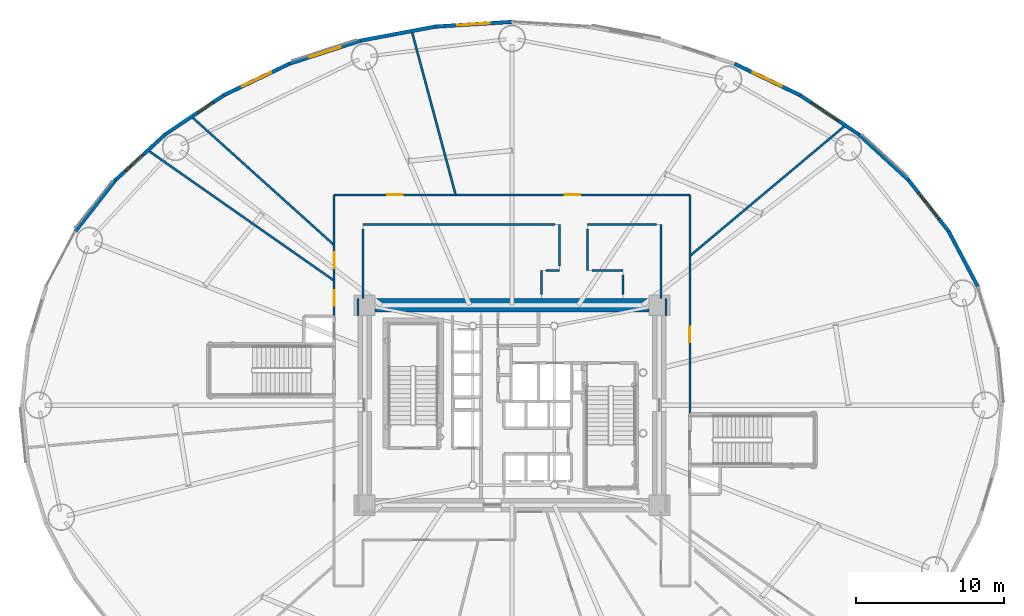
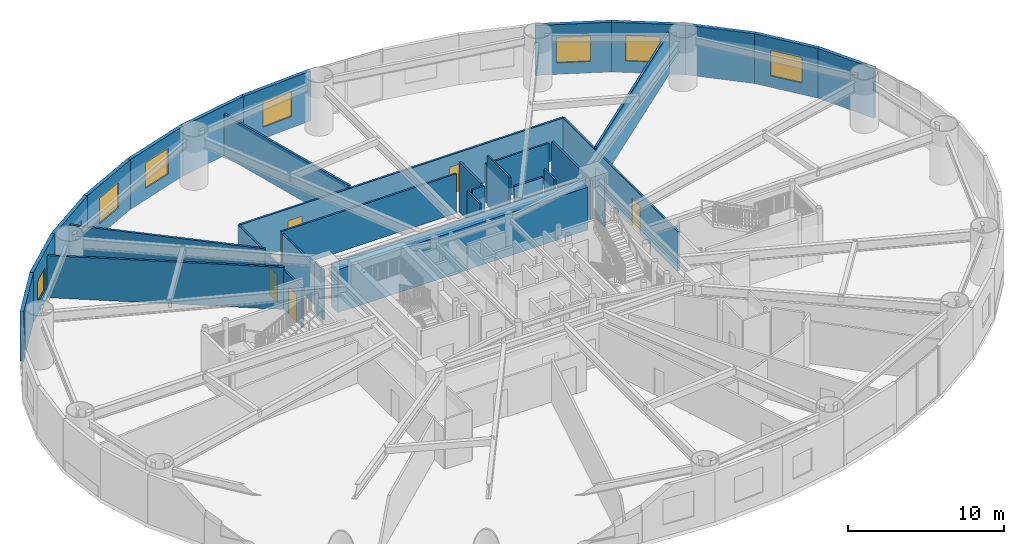
# One storey, part 19 of 31: 32 walls, 8 windows, 5 doors, 13 openings.
"""IFC4 building model written with IfcOpenShell, lengths in metres."""

import ifcopenshell
import ifcopenshell.guid

model = None  # the IFC model being written
_history = None  # IfcOwnerHistory: only IFC2X3 demands one
_inside = {}  # id of a spatial element -> (the spatial element, [elements in it])
_under = {}  # id of a project, library or spatial element -> (it, [spatial elements below it])
_declared = {}  # id of a project -> (the project, [libraries it declares])
_typed = {}  # id of a type object -> (the type object, [elements of that type])
_made_of = {}  # id of a material, layer set ... -> (it, [elements and type objects made of it])


def new_model(schema):
    """Start an empty IFC model of exactly this schema.

    Asked for "IFC4X3", IfcOpenShell would pick the latest addendum, in which some entities
    have other attributes; the version numbers below select the first issue.
    IFC2X3 requires an IfcOwnerHistory on every rooted entity: one is made here for all.
    """
    global model, _history
    if schema == "IFC4X3":
        model = ifcopenshell.file(schema_version=(4, 3, 0, 0))
    else:
        model = ifcopenshell.file(schema=schema)
    _inside.clear()
    _under.clear()
    _declared.clear()
    _typed.clear()
    _made_of.clear()
    _history = None
    if model.schema == "IFC2X3":
        org = make("IfcOrganization", Name="unknown")
        user = make(
            "IfcPersonAndOrganization",
            ThePerson=make("IfcPerson", FamilyName="unknown"),
            TheOrganization=org,
        )
        app = make(
            "IfcApplication",
            ApplicationDeveloper=org,
            Version="unknown",
            ApplicationFullName="unknown",
            ApplicationIdentifier="unknown",
        )
        _history = make(
            "IfcOwnerHistory",
            OwningUser=user,
            OwningApplication=app,
            ChangeAction="ADDED",
            CreationDate=0,
        )
    return model


def make(cls, **values):
    """One entity of the class cls with the attributes given. An attribute that is None is left unset."""
    return model.create_entity(
        cls, **{name: value for name, value in values.items() if value is not None}
    )


def rooted(cls, **values):
    """An entity with a GlobalId (a new one), such as an element, a storey or a relation."""
    return make(cls, GlobalId=ifcopenshell.guid.new(), OwnerHistory=_history, **values)


def si_unit(unit_type, name, prefix=None):
    """IfcSIUnit, for example si_unit("LENGTHUNIT", "METRE", prefix="MILLI")."""
    return make("IfcSIUnit", UnitType=unit_type, Prefix=prefix, Name=name)


def assignment(units):
    """IfcUnitAssignment: the units of a project."""
    return None if units is None else make("IfcUnitAssignment", Units=units)


def point(xyz):
    """IfcCartesianPoint."""
    return None if xyz is None else make("IfcCartesianPoint", Coordinates=xyz)


def direction(xyz):
    """IfcDirection."""
    return None if xyz is None else make("IfcDirection", DirectionRatios=xyz)


def frame(location, z_axis=None, x_axis=None):
    """IfcAxis2Placement3D, a coordinate frame: its origin and axes. An axis left out is left unset."""
    return make(
        "IfcAxis2Placement3D",
        Location=point(location),
        Axis=direction(z_axis),
        RefDirection=direction(x_axis),
    )


def frame_2d(location, x_axis=None):
    """IfcAxis2Placement2D, a coordinate frame in the plane: its origin and x axis."""
    return make(
        "IfcAxis2Placement2D", Location=point(location), RefDirection=direction(x_axis)
    )


def origin():
    """The frame at (0, 0, 0) with its axes left unset."""
    return frame((0.0, 0.0, 0.0))


def origin_2d():
    """The frame at (0, 0) in the plane with its x axis left unset."""
    return frame_2d((0.0, 0.0))


def place(relative_to, where):
    """IfcLocalPlacement: puts the frame where relative to a parent placement (None: the world)."""
    return make(
        "IfcLocalPlacement", PlacementRelTo=relative_to, RelativePlacement=where
    )


def context(
    kind, dimensions, precision=None, world=None, true_north=None, identifier=None
):
    """IfcGeometricRepresentationContext, for example the 3D "Model" context."""
    return make(
        "IfcGeometricRepresentationContext",
        ContextIdentifier=identifier,
        ContextType=kind,
        CoordinateSpaceDimension=dimensions,
        Precision=precision,
        WorldCoordinateSystem=world,
        TrueNorth=true_north,
    )


def subcontext(parent, identifier, kind, view, scale=None):
    """IfcGeometricRepresentationSubContext, for example "Body" below "Model"."""
    return make(
        "IfcGeometricRepresentationSubContext",
        ContextIdentifier=identifier,
        ContextType=kind,
        ParentContext=parent,
        TargetScale=scale,
        TargetView=view,
    )


def project(units=None, contexts=None):
    """IfcProject with its units and contexts."""
    return rooted(
        "IfcProject",
        Name="project",
        RepresentationContexts=contexts,
        UnitsInContext=assignment(units),
    )


def spatial(cls, under=None, at=None, **own):
    """A site, building, storey or space (cls), placed at a placement, below another one or the project."""
    s = rooted(cls, ObjectPlacement=at, **own)
    if under is not None:
        _under.setdefault(under.id(), (under, []))[1].append(s)
    return s


def profile(cls, at=None, kind="AREA", **sizes):
    """A parametric profile (cls). Its sizes go by their IFC names, for example OverallWidth=200.0."""
    return make(cls, ProfileType=kind, Position=at, **sizes)


def rectangle(**sizes):
    """IfcRectangleProfileDef."""
    return profile("IfcRectangleProfileDef", **sizes)


def extrude(swept, where, along, depth):
    """IfcExtrudedAreaSolid: the profile swept, set in the frame where, extruded along a direction by depth."""
    return make(
        "IfcExtrudedAreaSolid",
        SweptArea=swept,
        Position=where,
        ExtrudedDirection=direction(along),
        Depth=depth,
    )


def shape(context_of_items, identifier, shape_type, items):
    """IfcShapeRepresentation: the items that make up one representation, for example the "Body"."""
    return make(
        "IfcShapeRepresentation",
        ContextOfItems=context_of_items,
        RepresentationIdentifier=identifier,
        RepresentationType=shape_type,
        Items=items,
    )


def source(mapping_origin, context_of_items, identifier, shape_type, items):
    """IfcRepresentationMap: a shape defined once, which mapped items show again and again."""
    return make(
        "IfcRepresentationMap",
        MappingOrigin=mapping_origin,
        MappedRepresentation=shape(context_of_items, identifier, shape_type, items),
    )


def transform(
    local_origin,
    x_axis=None,
    y_axis=None,
    z_axis=None,
    scale=None,
    scale2=None,
    scale3=None,
    uniform=True,
):
    """IfcCartesianTransformationOperator3D, or its non-uniform kind. x_axis, y_axis, z_axis: its Axis1, 2, 3."""
    if uniform:
        return make(
            "IfcCartesianTransformationOperator3D",
            Axis1=direction(x_axis),
            Axis2=direction(y_axis),
            LocalOrigin=point(local_origin),
            Scale=scale,
            Axis3=direction(z_axis),
        )
    return make(
        "IfcCartesianTransformationOperator3DnonUniform",
        Axis1=direction(x_axis),
        Axis2=direction(y_axis),
        LocalOrigin=point(local_origin),
        Scale=scale,
        Axis3=direction(z_axis),
        Scale2=scale2,
        Scale3=scale3,
    )


def mapped(mapping_source, mapping_target):
    """IfcMappedItem: shows the shape of a source again, moved by a transform."""
    return make(
        "IfcMappedItem", MappingSource=mapping_source, MappingTarget=mapping_target
    )


def material(Name=None, Category=None):
    """IfcMaterial."""
    return make("IfcMaterial", Name=Name, Category=Category)


def layer(
    of_material, thickness, ventilated=None, Name=None, Category=None, Priority=None
):
    """IfcMaterialLayer: one layer of a wall or slab, of a material (None: an air gap)."""
    return make(
        "IfcMaterialLayer",
        Material=of_material,
        LayerThickness=thickness,
        IsVentilated=ventilated,
        Name=Name,
        Category=Category,
        Priority=Priority,
    )


def layer_set(layers, Name=None):
    """IfcMaterialLayerSet."""
    return make("IfcMaterialLayerSet", MaterialLayers=layers, LayerSetName=Name)


def made_of(thing, what):
    """Note that an element or type object is made of a material, layer set ...; save() writes the relation."""
    if what is not None:
        _made_of.setdefault(what.id(), (what, []))[1].append(thing)
    return thing


def type_object(cls, material=None, **own):
    """A type object (cls), such as IfcWallType, which elements share."""
    return made_of(rooted(cls, **own), material)


def element(
    cls,
    number,
    at=None,
    inside=None,
    cuts=None,
    type_object=None,
    material=None,
    context=None,
    identifier="Body",
    shape_type=None,
    held_by="IfcProductDefinitionShape",
    body=None,
    shapes=None,
    **own,
):
    """One element of the class cls, such as IfcWall. Its Tag is "e" and its number.

    at: its placement. inside: the storey or other place that contains it. cuts: it is an
    opening in that element (IfcRelVoidsElement). A single representation is given by context,
    identifier, shape_type and body (its items); several are given by shapes. held_by: the class
    of the entity that holds the representations. save() writes the other relations.
    """
    e = rooted(cls, Tag="e%d" % number, ObjectPlacement=at, **own)
    if body is not None:
        shapes = [shape(context, identifier, shape_type, body)]
    if shapes is not None:
        e.Representation = make(held_by, Representations=shapes)
    if inside is not None:
        _inside.setdefault(inside.id(), (inside, []))[1].append(e)
    if cuts is not None:
        rooted(
            "IfcRelVoidsElement", RelatingBuildingElement=cuts, RelatedOpeningElement=e
        )
    if type_object is not None:
        _typed.setdefault(type_object.id(), (type_object, []))[1].append(e)
    return made_of(e, material)


def fill(opening, filler):
    """IfcRelFillsElement: the door or window that sits in an opening."""
    return rooted(
        "IfcRelFillsElement",
        RelatingOpeningElement=opening,
        RelatedBuildingElement=filler,
    )


def aggregate(whole, parts):
    """IfcRelAggregates: a whole, such as a stair, and the parts it consists of."""
    return rooted("IfcRelAggregates", RelatingObject=whole, RelatedObjects=parts)


def save(model, path):
    """Write the relations noted so far, then the file.

    IfcRelAggregates (storeys below a building ...), IfcRelContainedInSpatialStructure (elements
    in a storey), IfcRelDefinesByType, IfcRelAssociatesMaterial and IfcRelDeclares: one each for
    every whole, place, type object, material and project.
    """
    for whole, parts in _under.values():
        aggregate(whole, parts)
    for where, things in _inside.values():
        rooted(
            "IfcRelContainedInSpatialStructure",
            RelatedElements=things,
            RelatingStructure=where,
        )
    for kind, things in _typed.values():
        rooted("IfcRelDefinesByType", RelatedObjects=things, RelatingType=kind)
    for what, things in _made_of.values():
        rooted("IfcRelAssociatesMaterial", RelatedObjects=things, RelatingMaterial=what)
    for by, libraries in _declared.values():
        rooted("IfcRelDeclares", RelatingContext=by, RelatedDefinitions=libraries)
    model.write(path)


model = new_model("IFC4")

# Units and contexts
model_context = context("Model", 3, precision=1e-05, world=origin(), true_north=direction((0.0, 1.0)))
body_context = subcontext(model_context, "Body", "Model", "MODEL_VIEW")
ifc_project = project(units=[si_unit("LENGTHUNIT", "METRE"), si_unit("AREAUNIT", "SQUARE_METRE"), si_unit("VOLUMEUNIT", "CUBIC_METRE"), si_unit("PLANEANGLEUNIT", "RADIAN"), si_unit("MASSUNIT", "GRAM", prefix="KILO")], contexts=[model_context])

# Site, building, storey
site_placement = place(None, origin())
site = spatial("IfcSite", under=ifc_project, at=site_placement, CompositionType="ELEMENT")
building_placement = place(site_placement, origin())
building = spatial("IfcBuilding", under=site, at=building_placement, Name="Linh Dai School and Residence Tower", CompositionType="ELEMENT")
storey_placement = place(building_placement, frame((0.0, 0.0, 6.0)))
storey = spatial("IfcBuildingStorey", under=building, at=storey_placement, Name="L01", CompositionType="ELEMENT", Elevation=6.0)

# Wall
ifc_material_1 = material(Name="Precast Concrete B45 (C35/45)", Category="concrete")
ifc_layer_1 = layer(ifc_material_1, 0.25)
ifc_layer_set_1 = layer_set([ifc_layer_1], Name="Precast Concrete B45 (C35/45)")
wall_type_1 = type_object("IfcWallType", Name="EW-TC-250", PredefinedType="SOLIDWALL", material=ifc_layer_set_1)
wall_1_placement = place(storey_placement, frame((65.4765625, 38.735595703125, 0.0), z_axis=(0.0, 0.0, 1.0), x_axis=(0.467588829866, -0.883946087827, 0.0)))
element("IfcWall", 1, at=wall_1_placement, inside=storey, type_object=wall_type_1, Name="L01 Terracotta Exterior Wall 03", PredefinedType="SOLIDWALL", context=body_context, shape_type="SweptSolid", body=[
    extrude(rectangle(XDim=4.2412109375, YDim=0.25, at=frame_2d((2.12060546875, 0.0))), origin(), (0.0, 0.0, 1.0), 3.89990234375),
])

# Wall, opening, window
wall_2_placement = place(storey_placement, frame((62.767822265625, 42.197509765625, 0.0), z_axis=(0.0, 0.0, 1.0), x_axis=(0.61622589112, -0.787569457961, 0.0)))
wall_2 = element("IfcWall", 2, at=wall_2_placement, inside=storey, type_object=wall_type_1, Name="L01 Terracotta Exterior Wall 04", PredefinedType="SOLIDWALL", context=body_context, shape_type="SweptSolid", body=[
    extrude(rectangle(XDim=4.395751953125, YDim=0.25, at=frame_2d((2.19775390625, 0.0))), origin(), (0.0, 0.0, 1.0), 3.89990234375),
])
opening_1_placement = place(wall_2_placement, frame((1.09765625, 0.0, 0.89990234375)))
opening_1 = element("IfcOpeningElement", 3, at=opening_1_placement, cuts=wall_2, Name="Opening W4", PredefinedType="OPENING", context=body_context, shape_type="SweptSolid", body=[
    extrude(rectangle(XDim=2.199951171875, YDim=2.0, at=origin_2d()), frame((1.10009765625, 0.135009765625, 1.0), z_axis=(0.0, -1.0, 0.0), x_axis=(1.0, 0.0, 0.0)), (0.0, 0.0, 1.0), 0.27001953125),
])
ifc_material_2 = material(Name="Acoustic Laminated Low-E Glazing", Category="glass")
window_type_1 = type_object("IfcWindowType", Name="WN-SCH-2200x2000", PartitioningType="TRIPLE_PANEL_VERTICAL", PredefinedType="WINDOW", material=ifc_material_2)
shared_shape_1 = source(origin(), body_context, "Body", "SweptSolid", [
    extrude(rectangle(XDim=2.199951171875, YDim=2.0, at=origin_2d()), frame((1.10009765625, 0.030029296875, 1.0), z_axis=(0.0, -1.0, 0.0), x_axis=(1.0, 0.0, 0.0)), (0.0, 0.0, 1.0), 0.06005859375),
])
window_1_placement = place(opening_1_placement, origin())
window_1 = element("IfcWindow", 4, at=window_1_placement, inside=storey, type_object=window_type_1, Name="L01 Exterior Window 04.1", OverallHeight=2.0, OverallWidth=2.199951171875, PartitioningType="TRIPLE_PANEL_VERTICAL", PredefinedType="WINDOW", context=body_context, shape_type="MappedRepresentation", body=[
    mapped(shared_shape_1, transform((0.0, 0.0, 0.0), x_axis=(1.0, 0.0, 0.0), y_axis=(0.0, 1.0, 0.0), z_axis=(0.0, 0.0, 1.0), scale=1.0)),
])
fill(opening_1, window_1)

# Wall
wall_3_placement = place(storey_placement, frame((59.39892578125, 45.286376953125, 0.0), z_axis=(0.0, 0.0, 1.0), x_axis=(0.737076532105, -0.675809282136, 0.0)))
element("IfcWall", 5, at=wall_3_placement, inside=storey, type_object=wall_type_1, Name="L01 Terracotta Exterior Wall 05", PredefinedType="SOLIDWALL", context=body_context, shape_type="SweptSolid", body=[
    extrude(rectangle(XDim=4.570556640625, YDim=0.25, at=frame_2d((2.28515625, 0.0))), origin(), (0.0, 0.0, 1.0), 3.89990234375),
])

# Wall, opening, window
wall_4_placement = place(storey_placement, frame((55.45263671875, 47.92578125, 0.0), z_axis=(0.0, 0.0, 1.0), x_axis=(0.831218664812, -0.555945618985, 0.0)))
wall_4 = element("IfcWall", 6, at=wall_4_placement, inside=storey, type_object=wall_type_1, Name="L01 Terracotta Exterior Wall 06", PredefinedType="SOLIDWALL", context=body_context, shape_type="SweptSolid", body=[
    extrude(rectangle(XDim=4.74755859375, YDim=0.25, at=frame_2d((2.373779296875, 0.0))), origin(), (0.0, 0.0, 1.0), 3.89990234375),
])
opening_2_placement = place(wall_4_placement, frame((0.91259765625, 0.0, 0.89990234375)))
opening_2 = element("IfcOpeningElement", 7, at=opening_2_placement, cuts=wall_4, Name="Opening W4", PredefinedType="OPENING", context=body_context, shape_type="SweptSolid", body=[
    extrude(rectangle(XDim=2.199951171875, YDim=2.0, at=origin_2d()), frame((1.10009765625, 0.135009765625, 1.0), z_axis=(0.0, -1.0, 0.0), x_axis=(1.0, 0.0, 0.0)), (0.0, 0.0, 1.0), 0.27001953125),
])
window_2_placement = place(opening_2_placement, origin())
window_2 = element("IfcWindow", 8, at=window_2_placement, inside=storey, type_object=window_type_1, Name="L01 Exterior Window 06.1", OverallHeight=2.0, OverallWidth=2.199951171875, PartitioningType="TRIPLE_PANEL_VERTICAL", PredefinedType="WINDOW", context=body_context, shape_type="MappedRepresentation", body=[
    mapped(shared_shape_1, transform((0.0, 0.0, 0.0), x_axis=(1.0, 0.0, 0.0), y_axis=(0.0, 1.0, 0.0), z_axis=(0.0, 0.0, 1.0), scale=1.0)),
])
fill(opening_2, window_2)

wall_5_placement = place(storey_placement, frame((51.026123046875, 50.050048828125, 0.0), z_axis=(0.0, 0.0, 1.0), x_axis=(0.901559523397, -0.432655088692, 0.0)))
wall_5 = element("IfcWall", 9, at=wall_5_placement, inside=storey, type_object=wall_type_1, Name="L01 Terracotta Exterior Wall 07", PredefinedType="SOLIDWALL", context=body_context, shape_type="SweptSolid", body=[
    extrude(rectangle(XDim=4.909912109375, YDim=0.25, at=frame_2d((2.455078125, 0.0))), origin(), (0.0, 0.0, 1.0), 3.89990234375),
])
opening_3_placement = place(wall_5_placement, frame((1.354736328125, 0.0, 0.89990234375)))
opening_3 = element("IfcOpeningElement", 10, at=opening_3_placement, cuts=wall_5, Name="Opening W4", PredefinedType="OPENING", context=body_context, shape_type="SweptSolid", body=[
    extrude(rectangle(XDim=2.199951171875, YDim=2.0, at=origin_2d()), frame((1.10009765625, 0.135009765625, 1.0), z_axis=(0.0, -1.0, 0.0), x_axis=(1.0, 0.0, 0.0)), (0.0, 0.0, 1.0), 0.27001953125),
])
window_3_placement = place(opening_3_placement, origin())
window_3 = element("IfcWindow", 11, at=window_3_placement, inside=storey, type_object=window_type_1, Name="L01 Exterior Window 07.1", OverallHeight=2.0, OverallWidth=2.199951171875, PartitioningType="TRIPLE_PANEL_VERTICAL", PredefinedType="WINDOW", context=body_context, shape_type="MappedRepresentation", body=[
    mapped(shared_shape_1, transform((0.0, 0.0, 0.0), x_axis=(1.0, 0.0, 0.0), y_axis=(0.0, 1.0, 0.0), z_axis=(0.0, 0.0, 1.0), scale=1.0)),
])
fill(opening_3, window_3)

wall_6_placement = place(storey_placement, frame((30.82177734375, 52.555908203125, 0.0), z_axis=(0.0, 0.0, 1.0), x_axis=(0.998106762298, 0.061505211614, 0.0)))
wall_6 = element("IfcWall", 12, at=wall_6_placement, inside=storey, type_object=wall_type_1, Name="L01 Terracotta Exterior Wall 11", PredefinedType="SOLIDWALL", context=body_context, shape_type="SweptSolid", body=[
    extrude(rectangle(XDim=5.18798828125, YDim=0.25, at=frame_2d((2.593994140625, 0.0))), origin(), (0.0, 0.0, 1.0), 3.89990234375),
])
opening_4_placement = place(wall_6_placement, frame((1.493896484375, 0.0, 0.89990234375)))
opening_4 = element("IfcOpeningElement", 13, at=opening_4_placement, cuts=wall_6, Name="Opening W4", PredefinedType="OPENING", context=body_context, shape_type="SweptSolid", body=[
    extrude(rectangle(XDim=2.199951171875, YDim=2.0, at=origin_2d()), frame((1.10009765625, 0.135009765625, 1.0), z_axis=(0.0, -1.0, 0.0), x_axis=(1.0, 0.0, 0.0)), (0.0, 0.0, 1.0), 0.27001953125),
])
window_4_placement = place(opening_4_placement, origin())
window_4 = element("IfcWindow", 14, at=window_4_placement, inside=storey, type_object=window_type_1, Name="L01 Exterior Window 11.1", OverallHeight=2.0, OverallWidth=2.199951171875, PartitioningType="TRIPLE_PANEL_VERTICAL", PredefinedType="WINDOW", context=body_context, shape_type="MappedRepresentation", body=[
    mapped(shared_shape_1, transform((0.0, 0.0, 0.0), x_axis=(1.0, 0.0, 0.0), y_axis=(0.0, 1.0, 0.0), z_axis=(0.0, 0.0, 1.0), scale=1.0)),
])
fill(opening_4, window_4)

# Wall
wall_7_placement = place(storey_placement, frame((25.771484375, 51.6064453125, 0.0), z_axis=(0.0, 0.0, 1.0), x_axis=(0.98278278947, 0.184764684726, 0.0)))
element("IfcWall", 15, at=wall_7_placement, inside=storey, type_object=wall_type_1, Name="L01 Terracotta Exterior Wall 12", PredefinedType="SOLIDWALL", context=body_context, shape_type="SweptSolid", body=[
    extrude(rectangle(XDim=5.138671875, YDim=0.25, at=frame_2d((2.5693359375, 0.0))), origin(), (0.0, 0.0, 1.0), 3.89990234375),
])

# Wall, opening, window
wall_8_placement = place(storey_placement, frame((20.973876953125, 50.050048828125, 0.0), z_axis=(0.0, 0.0, 1.0), x_axis=(0.951198629726, 0.308579271513, 0.0)))
wall_8 = element("IfcWall", 16, at=wall_8_placement, inside=storey, type_object=wall_type_1, Name="L01 Terracotta Exterior Wall 13", PredefinedType="SOLIDWALL", context=body_context, shape_type="SweptSolid", body=[
    extrude(rectangle(XDim=5.043701171875, YDim=0.25, at=frame_2d((2.52197265625, 0.0))), origin(), (0.0, 0.0, 1.0), 3.89990234375),
])
opening_5_placement = place(wall_8_placement, frame((1.422119140625, 0.0, 0.89990234375)))
opening_5 = element("IfcOpeningElement", 17, at=opening_5_placement, cuts=wall_8, Name="Opening W4", PredefinedType="OPENING", context=body_context, shape_type="SweptSolid", body=[
    extrude(rectangle(XDim=2.199951171875, YDim=2.0, at=origin_2d()), frame((1.10009765625, 0.135009765625, 1.0), z_axis=(0.0, -1.0, 0.0), x_axis=(1.0, 0.0, 0.0)), (0.0, 0.0, 1.0), 0.27001953125),
])
window_5_placement = place(opening_5_placement, origin())
window_5 = element("IfcWindow", 18, at=window_5_placement, inside=storey, type_object=window_type_1, Name="L01 Exterior Window 13.1", OverallHeight=2.0, OverallWidth=2.199951171875, PartitioningType="TRIPLE_PANEL_VERTICAL", PredefinedType="WINDOW", context=body_context, shape_type="MappedRepresentation", body=[
    mapped(shared_shape_1, transform((0.0, 0.0, 0.0), x_axis=(1.0, 0.0, 0.0), y_axis=(0.0, 1.0, 0.0), z_axis=(0.0, 0.0, 1.0), scale=1.0)),
])
fill(opening_5, window_5)

wall_9_placement = place(storey_placement, frame((16.54736328125, 47.92578125, 0.0), z_axis=(0.0, 0.0, 1.0), x_axis=(0.901559523397, 0.432655088692, 0.0)))
wall_9 = element("IfcWall", 19, at=wall_9_placement, inside=storey, type_object=wall_type_1, Name="L01 Terracotta Exterior Wall 14", PredefinedType="SOLIDWALL", context=body_context, shape_type="SweptSolid", body=[
    extrude(rectangle(XDim=4.909912109375, YDim=0.25, at=frame_2d((2.455078125, 0.0))), origin(), (0.0, 0.0, 1.0), 3.89990234375),
])
opening_6_placement = place(wall_9_placement, frame((1.35498046875, 0.0, 0.89990234375)))
opening_6 = element("IfcOpeningElement", 20, at=opening_6_placement, cuts=wall_9, Name="Opening W4", PredefinedType="OPENING", context=body_context, shape_type="SweptSolid", body=[
    extrude(rectangle(XDim=2.199951171875, YDim=2.0, at=origin_2d()), frame((1.10009765625, 0.135009765625, 1.0), z_axis=(0.0, -1.0, 0.0), x_axis=(1.0, 0.0, 0.0)), (0.0, 0.0, 1.0), 0.27001953125),
])
window_6_placement = place(opening_6_placement, origin())
window_6 = element("IfcWindow", 21, at=window_6_placement, inside=storey, type_object=window_type_1, Name="L01 Exterior Window 14.1", OverallHeight=2.0, OverallWidth=2.199951171875, PartitioningType="TRIPLE_PANEL_VERTICAL", PredefinedType="WINDOW", context=body_context, shape_type="MappedRepresentation", body=[
    mapped(shared_shape_1, transform((0.0, 0.0, 0.0), x_axis=(1.0, 0.0, 0.0), y_axis=(0.0, 1.0, 0.0), z_axis=(0.0, 0.0, 1.0), scale=1.0)),
])
fill(opening_6, window_6)

wall_10_placement = place(storey_placement, frame((12.60107421875, 45.286376953125, 0.0), z_axis=(0.0, 0.0, 1.0), x_axis=(0.831218664812, 0.555945618985, 0.0)))
wall_10 = element("IfcWall", 22, at=wall_10_placement, inside=storey, type_object=wall_type_1, Name="L01 Terracotta Exterior Wall 15", PredefinedType="SOLIDWALL", context=body_context, shape_type="SweptSolid", body=[
    extrude(rectangle(XDim=4.74755859375, YDim=0.25, at=frame_2d((2.373779296875, 0.0))), origin(), (0.0, 0.0, 1.0), 3.89990234375),
])
opening_7_placement = place(wall_10_placement, frame((2.63671875, 0.0, 0.89990234375)))
opening_7 = element("IfcOpeningElement", 23, at=opening_7_placement, cuts=wall_10, Name="Opening W3", PredefinedType="OPENING", context=body_context, shape_type="SweptSolid", body=[
    extrude(rectangle(XDim=1.25, YDim=1.64990234375, at=origin_2d()), frame((0.625, 0.135009765625, 0.824951171875), z_axis=(0.0, -1.0, 0.0), x_axis=(1.0, 0.0, 0.0)), (0.0, 0.0, 1.0), 0.27001953125),
])
ifc_material_3 = material(Name="Double Low-E Insulated Glazing", Category="glass")
window_type_2 = type_object("IfcWindowType", Name="WN-RES-1250x1650", PartitioningType="SINGLE_PANEL", PredefinedType="WINDOW", material=ifc_material_3)
shared_shape_2 = source(origin(), body_context, "Body", "SweptSolid", [
    extrude(rectangle(XDim=1.25, YDim=1.64990234375, at=origin_2d()), frame((0.625, 0.030029296875, 0.824951171875), z_axis=(0.0, -1.0, 0.0), x_axis=(1.0, 0.0, 0.0)), (0.0, 0.0, 1.0), 0.06005859375),
])
window_7_placement = place(opening_7_placement, origin())
window_7 = element("IfcWindow", 24, at=window_7_placement, inside=storey, type_object=window_type_2, Name="L01 Exterior Window 15.1", OverallHeight=1.64990234375, OverallWidth=1.25, PartitioningType="SINGLE_PANEL", PredefinedType="WINDOW", context=body_context, shape_type="MappedRepresentation", body=[
    mapped(shared_shape_2, transform((0.0, 0.0, 0.0), x_axis=(1.0, 0.0, 0.0), y_axis=(0.0, 1.0, 0.0), z_axis=(0.0, 0.0, 1.0), scale=1.0)),
])
fill(opening_7, window_7)

wall_11_placement = place(storey_placement, frame((9.232177734375, 42.197509765625, 0.0), z_axis=(0.0, 0.0, 1.0), x_axis=(0.737076532105, 0.675809282136, 0.0)))
wall_11 = element("IfcWall", 25, at=wall_11_placement, inside=storey, type_object=wall_type_1, Name="L01 Terracotta Exterior Wall 16", PredefinedType="SOLIDWALL", context=body_context, shape_type="SweptSolid", body=[
    extrude(rectangle(XDim=4.570556640625, YDim=0.25, at=frame_2d((2.28515625, 0.0))), origin(), (0.0, 0.0, 1.0), 3.89990234375),
])
opening_8_placement = place(wall_11_placement, frame((0.89599609375, 0.0, 0.89990234375)))
opening_8 = element("IfcOpeningElement", 26, at=opening_8_placement, cuts=wall_11, Name="Opening W2", PredefinedType="OPENING", context=body_context, shape_type="SweptSolid", body=[
    extrude(rectangle(XDim=1.60009765625, YDim=1.75, at=origin_2d()), frame((0.800048828125, 0.135009765625, 0.875), z_axis=(0.0, -1.0, 0.0), x_axis=(1.0, 0.0, 0.0)), (0.0, 0.0, 1.0), 0.27001953125),
])
window_type_3 = type_object("IfcWindowType", Name="WN-RES-1600x1750", PartitioningType="DOUBLE_PANEL_VERTICAL", PredefinedType="WINDOW", material=ifc_material_3)
shared_shape_3 = source(origin(), body_context, "Body", "SweptSolid", [
    extrude(rectangle(XDim=1.60009765625, YDim=1.75, at=origin_2d()), frame((0.800048828125, 0.030029296875, 0.875), z_axis=(0.0, -1.0, 0.0), x_axis=(1.0, 0.0, 0.0)), (0.0, 0.0, 1.0), 0.06005859375),
])
window_8_placement = place(opening_8_placement, origin())
window_8 = element("IfcWindow", 27, at=window_8_placement, inside=storey, type_object=window_type_3, Name="L01 Exterior Window 16.1", OverallHeight=1.75, OverallWidth=1.60009765625, PartitioningType="DOUBLE_PANEL_VERTICAL", PredefinedType="WINDOW", context=body_context, shape_type="MappedRepresentation", body=[
    mapped(shared_shape_3, transform((0.0, 0.0, 0.0), x_axis=(1.0, 0.0, 0.0), y_axis=(0.0, 1.0, 0.0), z_axis=(0.0, 0.0, 1.0), scale=1.0)),
])
fill(opening_8, window_8)

# Wall
wall_12_placement = place(storey_placement, frame((6.5234375, 38.735595703125, 0.0), z_axis=(0.0, 0.0, 1.0), x_axis=(0.61622589112, 0.787569457961, 0.0)))
element("IfcWall", 28, at=wall_12_placement, inside=storey, type_object=wall_type_1, Name="L01 Terracotta Exterior Wall 17", PredefinedType="SOLIDWALL", context=body_context, shape_type="SweptSolid", body=[
    extrude(rectangle(XDim=4.395751953125, YDim=0.25, at=frame_2d((2.19775390625, 0.0))), origin(), (0.0, 0.0, 1.0), 3.89990234375),
])

# Wall, openings, doors
ifc_material_4 = material(Name="Autoclaved Aerated Concrete Blockwork", Category="masonry")
ifc_layer_2 = layer(ifc_material_4, 0.135009765625)
ifc_layer_set_2 = layer_set([ifc_layer_2], Name="Autoclaved Aerated Concrete Blockwork")
wall_type_2 = type_object("IfcWallType", Name="IW-CORR-135-EI90", PredefinedType="PARTITIONING", material=ifc_layer_set_2)
wall_13_placement = place(storey_placement, frame((24.0, 33.010009765625, 0.0), z_axis=(0.0, 0.0, 1.0), x_axis=(0.0, 1.0, 0.0)))
wall_13 = element("IfcWall", 29, at=wall_13_placement, inside=storey, type_object=wall_type_2, Name="L01 Interior Partition Wall 013", PredefinedType="PARTITIONING", context=body_context, shape_type="SweptSolid", body=[
    extrude(rectangle(XDim=8.18994140625, YDim=0.135009765625, at=frame_2d((4.094970703125, 0.0))), origin(), (0.0, 0.0, 1.0), 3.0849609375),
])
opening_9_placement = place(wall_13_placement, frame((3.24755859375, 0.0, 0.0)))
opening_9 = element("IfcOpeningElement", 30, at=opening_9_placement, cuts=wall_13, Name="Opening D04", PredefinedType="OPENING", context=body_context, shape_type="SweptSolid", body=[
    extrude(rectangle(XDim=1.050048828125, YDim=2.14990234375, at=origin_2d()), frame((0.52490234375, 0.07763671875, 1.074951171875), z_axis=(0.0, -1.0, 0.0), x_axis=(1.0, 0.0, 0.0)), (0.0, 0.0, 1.0), 0.155029296875),
])
opening_10_placement = place(wall_13_placement, frame((0.691162109375, 0.0, 0.0)))
opening_10 = element("IfcOpeningElement", 31, at=opening_10_placement, cuts=wall_13, Name="Opening D04", PredefinedType="OPENING", context=body_context, shape_type="SweptSolid", body=[
    extrude(rectangle(XDim=1.050048828125, YDim=2.14990234375, at=origin_2d()), frame((0.52490234375, 0.07763671875, 1.074951171875), z_axis=(0.0, -1.0, 0.0), x_axis=(1.0, 0.0, 0.0)), (0.0, 0.0, 1.0), 0.155029296875),
])
ifc_material_5 = material(Name="Acoustic Vision-Panel Timber Classroom Door", Category="wood")
door_type = type_object("IfcDoorType", Name="DR-SCH-1050x2150-FD60S", OperationType="NOTDEFINED", PredefinedType="DOOR", material=ifc_material_5)
shared_shape_4 = source(origin(), body_context, "Body", "SweptSolid", [
    extrude(rectangle(XDim=1.050048828125, YDim=2.14990234375, at=origin_2d()), frame((0.52490234375, 0.02490234375, 1.074951171875), z_axis=(0.0, -1.0, 0.0), x_axis=(1.0, 0.0, 0.0)), (0.0, 0.0, 1.0), 0.050048828125),
])
door_1_placement = place(opening_9_placement, origin())
door_1 = element("IfcDoor", 32, at=door_1_placement, inside=storey, type_object=door_type, Name="L01 School Catering Kitchen Door", OperationType="SINGLE_SWING_LEFT", OverallHeight=2.14990234375, OverallWidth=1.050048828125, PredefinedType="DOOR", context=body_context, shape_type="MappedRepresentation", body=[
    mapped(shared_shape_4, transform((0.0, 0.0, 0.0), x_axis=(1.0, 0.0, 0.0), y_axis=(0.0, 1.0, 0.0), z_axis=(0.0, 0.0, 1.0), scale=1.0)),
])
fill(opening_9, door_1)
door_2_placement = place(opening_10_placement, origin())
door_2 = element("IfcDoor", 33, at=door_2_placement, inside=storey, type_object=door_type, Name="L01 Junior Classroom 1 Door", OperationType="SINGLE_SWING_RIGHT", OverallHeight=2.14990234375, OverallWidth=1.050048828125, PredefinedType="DOOR", context=body_context, shape_type="MappedRepresentation", body=[
    mapped(shared_shape_4, transform((0.0, 0.0, 0.0), x_axis=(1.0, 0.0, 0.0), y_axis=(0.0, 1.0, 0.0), z_axis=(0.0, 0.0, 1.0), scale=1.0)),
])
fill(opening_10, door_2)

wall_14_placement = place(storey_placement, frame((24.0, 41.199951171875, 0.0), z_axis=(0.0, 0.0, 1.0), x_axis=(1.0, 0.0, 0.0)))
wall_14 = element("IfcWall", 34, at=wall_14_placement, inside=storey, type_object=wall_type_2, Name="L01 Interior Partition Wall 014", PredefinedType="PARTITIONING", context=body_context, shape_type="SweptSolid", body=[
    extrude(rectangle(XDim=24.0, YDim=0.135009765625, at=frame_2d((12.0, 0.0))), origin(), (0.0, 0.0, 1.0), 3.0849609375),
])
opening_11_placement = place(wall_14_placement, frame((15.552490234375, 0.0, 0.0)))
opening_11 = element("IfcOpeningElement", 35, at=opening_11_placement, cuts=wall_14, Name="Opening D04", PredefinedType="OPENING", context=body_context, shape_type="SweptSolid", body=[
    extrude(rectangle(XDim=1.050048828125, YDim=2.14990234375, at=origin_2d()), frame((0.52490234375, 0.07763671875, 1.074951171875), z_axis=(0.0, -1.0, 0.0), x_axis=(1.0, 0.0, 0.0)), (0.0, 0.0, 1.0), 0.155029296875),
])
opening_12_placement = place(wall_14_placement, frame((3.592529296875, 0.0, 0.0)))
opening_12 = element("IfcOpeningElement", 36, at=opening_12_placement, cuts=wall_14, Name="Opening D04", PredefinedType="OPENING", context=body_context, shape_type="SweptSolid", body=[
    extrude(rectangle(XDim=1.050048828125, YDim=2.14990234375, at=origin_2d()), frame((0.52490234375, 0.07763671875, 1.074951171875), z_axis=(0.0, -1.0, 0.0), x_axis=(1.0, 0.0, 0.0)), (0.0, 0.0, 1.0), 0.155029296875),
])
door_3_placement = place(opening_11_placement, origin())
door_3 = element("IfcDoor", 37, at=door_3_placement, inside=storey, type_object=door_type, Name="L01 Student Dining Hall and Refectory Door", OperationType="SINGLE_SWING_LEFT", OverallHeight=2.14990234375, OverallWidth=1.050048828125, PredefinedType="DOOR", context=body_context, shape_type="MappedRepresentation", body=[
    mapped(shared_shape_4, transform((0.0, 0.0, 0.0), x_axis=(1.0, 0.0, 0.0), y_axis=(0.0, 1.0, 0.0), z_axis=(0.0, 0.0, 1.0), scale=1.0)),
])
fill(opening_11, door_3)
door_4_placement = place(opening_12_placement, origin())
door_4 = element("IfcDoor", 38, at=door_4_placement, inside=storey, type_object=door_type, Name="L01 School Refectory Servery Hall Door", OperationType="SINGLE_SWING_RIGHT", OverallHeight=2.14990234375, OverallWidth=1.050048828125, PredefinedType="DOOR", context=body_context, shape_type="MappedRepresentation", body=[
    mapped(shared_shape_4, transform((0.0, 0.0, 0.0), x_axis=(1.0, 0.0, 0.0), y_axis=(0.0, 1.0, 0.0), z_axis=(0.0, 0.0, 1.0), scale=1.0)),
])
fill(opening_12, door_4)

# Wall, opening, door
wall_15_placement = place(storey_placement, frame((48.0, 26.429931640625, 0.0), z_axis=(0.0, 0.0, 1.0), x_axis=(0.0, 1.0, 0.0)))
wall_15 = element("IfcWall", 39, at=wall_15_placement, inside=storey, type_object=wall_type_2, Name="L01 Interior Partition Wall 068", PredefinedType="PARTITIONING", context=body_context, shape_type="SweptSolid", body=[
    extrude(rectangle(XDim=14.77001953125, YDim=0.135009765625, at=frame_2d((7.385009765625, 0.0))), origin(), (0.0, 0.0, 1.0), 3.0849609375),
])
opening_13_placement = place(wall_15_placement, frame((4.814697265625, 0.0, 0.0)))
opening_13 = element("IfcOpeningElement", 40, at=opening_13_placement, cuts=wall_15, Name="Opening D04", PredefinedType="OPENING", context=body_context, shape_type="SweptSolid", body=[
    extrude(rectangle(XDim=1.050048828125, YDim=2.14990234375, at=origin_2d()), frame((0.52490234375, 0.07763671875, 1.074951171875), z_axis=(0.0, -1.0, 0.0), x_axis=(1.0, 0.0, 0.0)), (0.0, 0.0, 1.0), 0.155029296875),
])
door_5_placement = place(opening_13_placement, origin())
door_5 = element("IfcDoor", 41, at=door_5_placement, inside=storey, type_object=door_type, Name="L01 Primary School Multi-Purpose Assembly Hall Door", OperationType="SINGLE_SWING_RIGHT", OverallHeight=2.14990234375, OverallWidth=1.050048828125, PredefinedType="DOOR", context=body_context, shape_type="MappedRepresentation", body=[
    mapped(shared_shape_4, transform((0.0, 0.0, 0.0), x_axis=(1.0, 0.0, 0.0), y_axis=(0.0, 1.0, 0.0), z_axis=(0.0, 0.0, 1.0), scale=1.0)),
])
fill(opening_13, door_5)

# Walls
wall_16_placement = place(storey_placement, frame((46.39990234375, 33.06005859375, 0.0), z_axis=(0.0, 0.0, 1.0), x_axis=(0.0, 1.0, 0.0)))
element("IfcWall", 42, at=wall_16_placement, inside=storey, type_object=wall_type_2, Name="L01 Interior Partition Wall 087", PredefinedType="PARTITIONING", context=body_context, shape_type="SweptSolid", body=[
    extrude(rectangle(XDim=1.139892578125, YDim=0.135009765625, at=frame_2d((0.56982421875, 0.0))), origin(), (0.0, 0.0, 1.0), 3.89990234375),
])
wall_17_placement = place(storey_placement, frame((46.050048828125, 34.199951171875, 0.0), z_axis=(0.0, 0.0, 1.0), x_axis=(0.0, 1.0, 0.0)))
element("IfcWall", 43, at=wall_17_placement, inside=storey, type_object=wall_type_2, Name="L01 Interior Partition Wall 088", PredefinedType="PARTITIONING", context=body_context, shape_type="SweptSolid", body=[
    extrude(rectangle(XDim=5.0, YDim=0.135009765625, at=frame_2d((2.5, 0.0))), origin(), (0.0, 0.0, 1.0), 3.0849609375),
])
wall_18_placement = place(storey_placement, frame((45.742431640625, 39.199951171875, 0.0), z_axis=(0.0, 0.0, 1.0), x_axis=(-1.0, 0.0, 0.0)))
element("IfcWall", 44, at=wall_18_placement, inside=storey, type_object=wall_type_2, Name="L01 Interior Partition Wall 089", PredefinedType="PARTITIONING", context=body_context, shape_type="SweptSolid", body=[
    extrude(rectangle(XDim=4.642333984375, YDim=0.135009765625, at=frame_2d((2.3212890625, 0.0))), origin(), (0.0, 0.0, 1.0), 3.0849609375),
])
wall_19_placement = place(storey_placement, frame((41.10009765625, 38.892578125, 0.0), z_axis=(0.0, 0.0, 1.0), x_axis=(0.0, -1.0, 0.0)))
element("IfcWall", 45, at=wall_19_placement, inside=storey, type_object=wall_type_2, Name="L01 Interior Partition Wall 090", PredefinedType="PARTITIONING", context=body_context, shape_type="SweptSolid", body=[
    extrude(rectangle(XDim=2.79248046875, YDim=0.135009765625, at=frame_2d((1.396240234375, 0.0))), origin(), (0.0, 0.0, 1.0), 3.89990234375),
])
wall_20_placement = place(storey_placement, frame((41.407470703125, 36.10009765625, 0.0), z_axis=(0.0, 0.0, 1.0), x_axis=(1.0, 0.0, 0.0)))
element("IfcWall", 46, at=wall_20_placement, inside=storey, type_object=wall_type_2, Name="L01 Interior Partition Wall 091", PredefinedType="PARTITIONING", context=body_context, shape_type="SweptSolid", body=[
    extrude(rectangle(XDim=2.092529296875, YDim=0.135009765625, at=frame_2d((1.04638671875, 0.0))), origin(), (0.0, 0.0, 1.0), 3.0849609375),
])
wall_21_placement = place(storey_placement, frame((43.5, 35.79248046875, 0.0), z_axis=(0.0, 0.0, 1.0), x_axis=(0.0, -1.0, 0.0)))
element("IfcWall", 47, at=wall_21_placement, inside=storey, type_object=wall_type_2, Name="L01 Interior Partition Wall 092", PredefinedType="PARTITIONING", context=body_context, shape_type="SweptSolid", body=[
    extrude(rectangle(XDim=1.33251953125, YDim=0.135009765625, at=frame_2d((0.666259765625, 0.0))), origin(), (0.0, 0.0, 1.0), 3.89990234375),
])
wall_22_placement = place(storey_placement, frame((38.0, 34.4599609375, 0.0), z_axis=(0.0, 0.0, 1.0), x_axis=(0.0, 1.0, 0.0)))
element("IfcWall", 48, at=wall_22_placement, inside=storey, type_object=wall_type_2, Name="L01 Interior Partition Wall 093", PredefinedType="PARTITIONING", context=body_context, shape_type="SweptSolid", body=[
    extrude(rectangle(XDim=1.64013671875, YDim=0.135009765625, at=frame_2d((0.820068359375, 0.0))), origin(), (0.0, 0.0, 1.0), 3.89990234375),
])
wall_23_placement = place(storey_placement, frame((38.3076171875, 36.10009765625, 0.0), z_axis=(0.0, 0.0, 1.0), x_axis=(1.0, 0.0, 0.0)))
element("IfcWall", 49, at=wall_23_placement, inside=storey, type_object=wall_type_2, Name="L01 Interior Partition Wall 094", PredefinedType="PARTITIONING", context=body_context, shape_type="SweptSolid", body=[
    extrude(rectangle(XDim=0.892333984375, YDim=0.135009765625, at=frame_2d((0.4462890625, 0.0))), origin(), (0.0, 0.0, 1.0), 3.89990234375),
])
wall_24_placement = place(storey_placement, frame((39.199951171875, 36.407470703125, 0.0), z_axis=(0.0, 0.0, 1.0), x_axis=(0.0, 1.0, 0.0)))
element("IfcWall", 50, at=wall_24_placement, inside=storey, type_object=wall_type_2, Name="L01 Interior Partition Wall 095", PredefinedType="PARTITIONING", context=body_context, shape_type="SweptSolid", body=[
    extrude(rectangle(XDim=2.79248046875, YDim=0.135009765625, at=frame_2d((1.396240234375, 0.0))), origin(), (0.0, 0.0, 1.0), 3.89990234375),
])
wall_25_placement = place(storey_placement, frame((38.892578125, 39.199951171875, 0.0), z_axis=(0.0, 0.0, 1.0), x_axis=(-1.0, 0.0, 0.0)))
element("IfcWall", 51, at=wall_25_placement, inside=storey, type_object=wall_type_2, Name="L01 Interior Partition Wall 096", PredefinedType="PARTITIONING", context=body_context, shape_type="SweptSolid", body=[
    extrude(rectangle(XDim=12.942626953125, YDim=0.135009765625, at=frame_2d((6.47119140625, 0.0))), origin(), (0.0, 0.0, 1.0), 3.0849609375),
])
wall_26_placement = place(storey_placement, frame((25.949951171875, 38.892578125, 0.0), z_axis=(0.0, 0.0, 1.0), x_axis=(0.0, -1.0, 0.0)))
element("IfcWall", 52, at=wall_26_placement, inside=storey, type_object=wall_type_2, Name="L01 Interior Partition Wall 097", PredefinedType="PARTITIONING", context=body_context, shape_type="SweptSolid", body=[
    extrude(rectangle(XDim=4.692626953125, YDim=0.135009765625, at=frame_2d((2.34619140625, 0.0))), origin(), (0.0, 0.0, 1.0), 3.0849609375),
])
wall_27_placement = place(storey_placement, frame((25.60009765625, 34.199951171875, 0.0), z_axis=(0.0, 0.0, 1.0), x_axis=(0.0, -1.0, 0.0)))
element("IfcWall", 53, at=wall_27_placement, inside=storey, type_object=wall_type_2, Name="L01 Interior Partition Wall 098", PredefinedType="PARTITIONING", context=body_context, shape_type="SweptSolid", body=[
    extrude(rectangle(XDim=1.139892578125, YDim=0.135009765625, at=frame_2d((0.56982421875, 0.0))), origin(), (0.0, 0.0, 1.0), 3.89990234375),
])
ifc_layer_3 = layer(ifc_material_4, 0.14990234375)
ifc_layer_set_3 = layer_set([ifc_layer_3], Name="Autoclaved Aerated Concrete Blockwork")
wall_type_3 = type_object("IfcWallType", Name="IW-SCH-150-EI60", PredefinedType="PARTITIONING", material=ifc_layer_set_3)
wall_28_placement = place(storey_placement, frame((11.420654296875, 44.210693359375, 0.0), z_axis=(0.0, 0.0, 1.0), x_axis=(0.819153488973, -0.573574373123, 0.0)))
element("IfcWall", 54, at=wall_28_placement, inside=storey, type_object=wall_type_3, Name="L01 Interior Partition Wall 002", PredefinedType="PARTITIONING", context=body_context, shape_type="SweptSolid", body=[
    extrude(rectangle(XDim=15.3564453125, YDim=0.14990234375, at=frame_2d((7.67822265625, 0.0))), origin(), (0.0, 0.0, 1.0), 3.284912109375),
])
wall_29_placement = place(storey_placement, frame((14.3701171875, 46.4755859375, 0.0), z_axis=(0.0, 0.0, 1.0), x_axis=(0.743149857609, -0.669125017569, 0.0)))
element("IfcWall", 55, at=wall_29_placement, inside=storey, type_object=wall_type_3, Name="L01 Interior Partition Wall 004", PredefinedType="PARTITIONING", context=body_context, shape_type="SweptSolid", body=[
    extrude(rectangle(XDim=12.958251953125, YDim=0.14990234375, at=frame_2d((6.47900390625, 0.0))), origin(), (0.0, 0.0, 1.0), 3.284912109375),
])
wall_30_placement = place(storey_placement, frame((29.231201171875, 52.261962890625, 0.0), z_axis=(0.0, 0.0, 1.0), x_axis=(0.258803572303, -0.96592997208, 0.0)))
element("IfcWall", 56, at=wall_30_placement, inside=storey, type_object=wall_type_3, Name="L01 Interior Partition Wall 018", PredefinedType="PARTITIONING", context=body_context, shape_type="SweptSolid", body=[
    extrude(rectangle(XDim=11.4521484375, YDim=0.14990234375, at=frame_2d((5.72607421875, 0.0))), origin(), (0.0, 0.0, 1.0), 3.284912109375),
])
wall_31_placement = place(storey_placement, frame((48.0, 37.069091796875, 0.0), z_axis=(0.0, 0.0, 1.0), x_axis=(0.766043415451, 0.642788834412, 0.0)))
element("IfcWall", 57, at=wall_31_placement, inside=storey, type_object=wall_type_3, Name="L01 Interior Partition Wall 070", PredefinedType="PARTITIONING", context=body_context, shape_type="SweptSolid", body=[
    extrude(rectangle(XDim=13.718994140625, YDim=0.14990234375, at=frame_2d((6.859375, 0.0))), origin(), (0.0, 0.0, 1.0), 3.284912109375),
])
ifc_material_6 = material(Name="Concrete B60 (C50/60)", Category="concrete")
ifc_layer_4 = layer(ifc_material_6, 0.89990234375)
ifc_layer_set_4 = layer_set([ifc_layer_4], Name="Concrete B60 (C50/60)")
wall_type_4 = type_object("IfcWallType", Name="WL-CORE900", PredefinedType="SHEAR", material=ifc_layer_set_4)
wall_32_placement = place(storey_placement, frame((26.75, 33.75, 0.0), z_axis=(0.0, 0.0, 1.0), x_axis=(1.0, 0.0, 0.0)))
element("IfcWall", 58, at=wall_32_placement, inside=storey, type_object=wall_type_4, Name="L01 Central Core Shear Wall N", PredefinedType="SHEAR", context=body_context, shape_type="SweptSolid", body=[
    extrude(rectangle(XDim=18.5, YDim=0.89990234375, at=frame_2d((9.25, 0.0))), origin(), (0.0, 0.0, 1.0), 3.35009765625),
])

save(model, "model.ifc")
